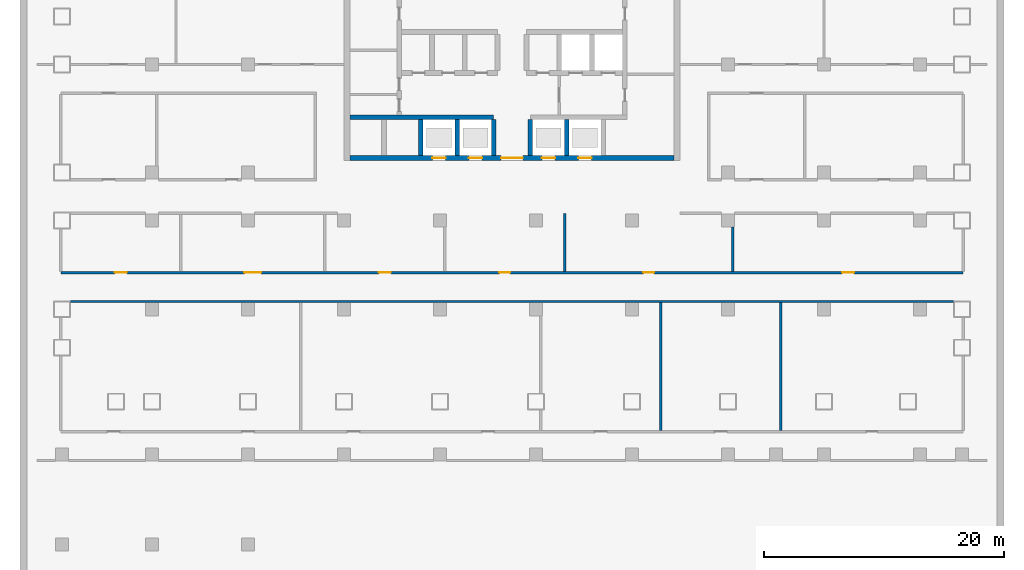
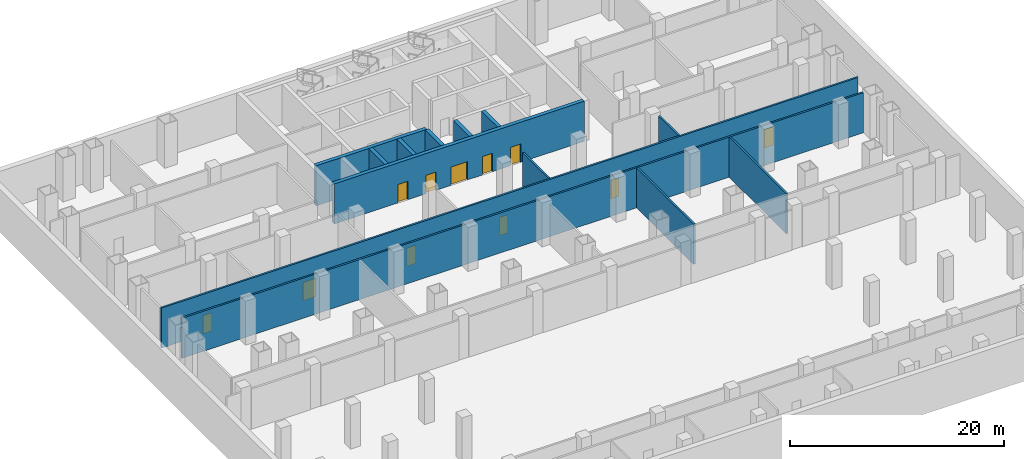
# One storey, part 5 of 12: 13 walls, 11 doors, 11 openings.
"""IFC4 building model written with IfcOpenShell, lengths in metres."""

from ifc_helpers import new_model, si_unit, direction, frame, frame_2d, origin, place, context, subcontext, project, spatial, rectangle, extrude, material, layer, layer_set, type_object, element, fill, save


model = new_model("IFC4")

# Units and contexts
model_context = context("Model", 3, precision=1e-05, world=origin(), true_north=direction((0.0, 1.0)))
body_context = subcontext(model_context, "Body", "Model", "MODEL_VIEW")
ifc_project = project(units=[si_unit("LENGTHUNIT", "METRE"), si_unit("AREAUNIT", "SQUARE_METRE"), si_unit("VOLUMEUNIT", "CUBIC_METRE"), si_unit("PLANEANGLEUNIT", "RADIAN"), si_unit("MASSUNIT", "GRAM", prefix="KILO")], contexts=[model_context])

# Site, building, storey
site_placement = place(None, origin())
site = spatial("IfcSite", under=ifc_project, at=site_placement, CompositionType="ELEMENT")
building_placement = place(site_placement, origin())
building = spatial("IfcBuilding", under=site, at=building_placement, Name="Vidyagriha Tower", CompositionType="ELEMENT")
storey_placement = place(building_placement, frame((0.0, 0.0, -5.0)))
storey = spatial("IfcBuildingStorey", under=building, at=storey_placement, Name="B1", CompositionType="ELEMENT", Elevation=-5.0)

# Wall, openings, doors
ifc_material_1 = material(Name="Concrete C60/75", Category="concrete")
ifc_layer_1 = layer(ifc_material_1, 0.39990234375)
ifc_layer_set_1 = layer_set([ifc_layer_1], Name="Concrete C60/75")
wall_type_1 = type_object("IfcWallType", Name="Core shear wall 400 mm", PredefinedType="SHEAR", material=ifc_layer_set_1)
wall_1_placement = place(storey_placement, frame((-13.5, 3.199951171875, 0.0)))
wall_1 = element("IfcWall", 1, at=wall_1_placement, inside=storey, type_object=wall_type_1, Name="Core front wall", PredefinedType="SHEAR", context=body_context, shape_type="SweptSolid", body=[
    extrude(rectangle(XDim=27.0, YDim=0.39990234375, at=frame_2d((13.5, 0.0))), origin(), (0.0, 0.0, 1.0), 4.580078125),
])
opening_1_placement = place(wall_1_placement, frame((6.861083984375, 0.0, 0.0)))
opening_1 = element("IfcOpeningElement", 2, at=opening_1_placement, cuts=wall_1, Name="Opening LDB1-01", PredefinedType="OPENING", context=body_context, shape_type="SweptSolid", body=[
    extrude(rectangle(XDim=1.10009765625, YDim=2.10009765625, at=frame_2d((0.550048828125, 1.050048828125))), frame((0.0, 0.2099609375, 0.0), z_axis=(0.0, -1.0, 0.0), x_axis=(1.0, 0.0, 0.0)), (0.0, 0.0, 1.0), 0.419921875),
])
opening_2_placement = place(wall_1_placement, frame((9.905517578125, 0.0, 0.0)))
opening_2 = element("IfcOpeningElement", 3, at=opening_2_placement, cuts=wall_1, Name="Opening LDB1-02", PredefinedType="OPENING", context=body_context, shape_type="SweptSolid", body=[
    extrude(rectangle(XDim=1.10009765625, YDim=2.10009765625, at=frame_2d((0.550048828125, 1.050048828125))), frame((0.0, 0.2099609375, 0.0), z_axis=(0.0, -1.0, 0.0), x_axis=(1.0, 0.0, 0.0)), (0.0, 0.0, 1.0), 0.419921875),
])
opening_3_placement = place(wall_1_placement, frame((15.994384765625, 0.0, 0.0)))
opening_3 = element("IfcOpeningElement", 4, at=opening_3_placement, cuts=wall_1, Name="Opening LDB1-03", PredefinedType="OPENING", context=body_context, shape_type="SweptSolid", body=[
    extrude(rectangle(XDim=1.10009765625, YDim=2.10009765625, at=frame_2d((0.550048828125, 1.050048828125))), frame((0.0, 0.2099609375, 0.0), z_axis=(0.0, -1.0, 0.0), x_axis=(1.0, 0.0, 0.0)), (0.0, 0.0, 1.0), 0.419921875),
])
opening_4_placement = place(wall_1_placement, frame((19.038818359375, 0.0, 0.0)))
opening_4 = element("IfcOpeningElement", 5, at=opening_4_placement, cuts=wall_1, Name="Opening LDB1-04", PredefinedType="OPENING", context=body_context, shape_type="SweptSolid", body=[
    extrude(rectangle(XDim=1.10009765625, YDim=2.10009765625, at=frame_2d((0.550048828125, 1.050048828125))), frame((0.0, 0.2099609375, 0.0), z_axis=(0.0, -1.0, 0.0), x_axis=(1.0, 0.0, 0.0)), (0.0, 0.0, 1.0), 0.419921875),
])
opening_5_placement = place(wall_1_placement, frame((12.60009765625, 0.0, 0.0)))
opening_5 = element("IfcOpeningElement", 6, at=opening_5_placement, cuts=wall_1, Name="Opening DB1-01", PredefinedType="OPENING", context=body_context, shape_type="SweptSolid", body=[
    extrude(rectangle(XDim=1.800048828125, YDim=2.10009765625, at=frame_2d((0.89990234375, 1.050048828125))), frame((0.0, 0.2099609375, 0.0), z_axis=(0.0, -1.0, 0.0), x_axis=(1.0, 0.0, 0.0)), (0.0, 0.0, 1.0), 0.419921875),
])
ifc_material_2 = material(Name="Hollow metal door leaf")
door_type_1 = type_object("IfcDoorType", Name="Core lobby double door 1800 x 2100 mm EI 60", OperationType="NOTDEFINED", PredefinedType="DOOR", material=ifc_material_2)
door_1_placement = place(opening_5_placement, frame((1.800048828125, 0.0, 0.0), z_axis=(0.0, 0.0, 1.0), x_axis=(-1.0, 0.0, 0.0)))
door_1 = element("IfcDoor", 7, at=door_1_placement, inside=storey, type_object=door_type_1, Name="Core entrance door B1", OperationType="DOUBLE_DOOR_SINGLE_SWING", OverallHeight=2.10009765625, OverallWidth=1.800048828125, PredefinedType="DOOR", context=body_context, shape_type="SweptSolid", body=[
    extrude(rectangle(XDim=1.800048828125, YDim=2.10009765625, at=frame_2d((0.89990234375, 1.050048828125))), frame((0.0, 0.02490234375, 0.0), z_axis=(0.0, -1.0, 0.0), x_axis=(1.0, 0.0, 0.0)), (0.0, 0.0, 1.0), 0.050048828125),
])
fill(opening_5, door_1)
ifc_material_3 = material(Name="Stainless steel sliding door panel", Category="steel")
door_type_2 = type_object("IfcDoorType", Name="Lift landing door 1100 x 2100 mm EI 90", OperationType="NOTDEFINED", PredefinedType="DOOR", material=ifc_material_3)
door_2_placement = place(opening_1_placement, origin())
door_2 = element("IfcDoor", 8, at=door_2_placement, inside=storey, type_object=door_type_2, Name="Landing door LR1 B1", OperationType="SLIDING_TO_LEFT", OverallHeight=2.10009765625, OverallWidth=1.10009765625, PredefinedType="DOOR", context=body_context, shape_type="SweptSolid", body=[
    extrude(rectangle(XDim=1.10009765625, YDim=2.10009765625, at=frame_2d((0.550048828125, 1.050048828125))), frame((0.0, 0.02490234375, 0.0), z_axis=(0.0, -1.0, 0.0), x_axis=(1.0, 0.0, 0.0)), (0.0, 0.0, 1.0), 0.050048828125),
])
fill(opening_1, door_2)
door_3_placement = place(opening_2_placement, origin())
door_3 = element("IfcDoor", 9, at=door_3_placement, inside=storey, type_object=door_type_2, Name="Landing door LR2 B1", OperationType="SLIDING_TO_LEFT", OverallHeight=2.10009765625, OverallWidth=1.10009765625, PredefinedType="DOOR", context=body_context, shape_type="SweptSolid", body=[
    extrude(rectangle(XDim=1.10009765625, YDim=2.10009765625, at=frame_2d((0.550048828125, 1.050048828125))), frame((0.0, 0.02490234375, 0.0), z_axis=(0.0, -1.0, 0.0), x_axis=(1.0, 0.0, 0.0)), (0.0, 0.0, 1.0), 0.050048828125),
])
fill(opening_2, door_3)
door_4_placement = place(opening_3_placement, origin())
door_4 = element("IfcDoor", 10, at=door_4_placement, inside=storey, type_object=door_type_2, Name="Landing door LR3 B1", OperationType="SLIDING_TO_LEFT", OverallHeight=2.10009765625, OverallWidth=1.10009765625, PredefinedType="DOOR", context=body_context, shape_type="SweptSolid", body=[
    extrude(rectangle(XDim=1.10009765625, YDim=2.10009765625, at=frame_2d((0.550048828125, 1.050048828125))), frame((0.0, 0.02490234375, 0.0), z_axis=(0.0, -1.0, 0.0), x_axis=(1.0, 0.0, 0.0)), (0.0, 0.0, 1.0), 0.050048828125),
])
fill(opening_3, door_4)
door_5_placement = place(opening_4_placement, origin())
door_5 = element("IfcDoor", 11, at=door_5_placement, inside=storey, type_object=door_type_2, Name="Landing door LR4 B1", OperationType="SLIDING_TO_LEFT", OverallHeight=2.10009765625, OverallWidth=1.10009765625, PredefinedType="DOOR", context=body_context, shape_type="SweptSolid", body=[
    extrude(rectangle(XDim=1.10009765625, YDim=2.10009765625, at=frame_2d((0.550048828125, 1.050048828125))), frame((0.0, 0.02490234375, 0.0), z_axis=(0.0, -1.0, 0.0), x_axis=(1.0, 0.0, 0.0)), (0.0, 0.0, 1.0), 0.050048828125),
])
fill(opening_4, door_5)

# Walls
wall_2_placement = place(storey_placement, frame((-13.5, 6.60009765625, 0.0)))
element("IfcWall", 12, at=wall_2_placement, inside=storey, type_object=wall_type_1, Name="Core lobby south wall west", PredefinedType="SHEAR", context=body_context, shape_type="SweptSolid", body=[
    extrude(rectangle(XDim=11.977783203125, YDim=0.39990234375, at=frame_2d((5.98876953125, 0.0))), origin(), (0.0, 0.0, 1.0), 4.580078125),
])
for number, where, z_axis, x_axis, name in (
    (13, (-7.611083984375, 3.39990234375, 0.0), (0.0, 0.0, 1.0), (0.0, 1.0, 0.0), "Core bay wall S2"),
    (14, (-4.566650390625, 3.39990234375, 0.0), (0.0, 0.0, 1.0), (0.0, 1.0, 0.0), "Core bay wall S3"),
    (15, (-1.522216796875, 3.39990234375, 0.0), (0.0, 0.0, 1.0), (0.0, 1.0, 0.0), "Core bay wall S4"),
    (16, (1.522216796875, 3.39990234375, 0.0), (0.0, 0.0, 1.0), (0.0, 1.0, 0.0), "Core bay wall S5"),
    (17, (4.566650390625, 3.39990234375, 0.0), (0.0, 0.0, 1.0), (0.0, 1.0, 0.0), "Core bay wall S6"),
):
    element("IfcWall", number, at=place(storey_placement, frame(where, z_axis=z_axis, x_axis=x_axis)), inside=storey, type_object=wall_type_1, Name=name, PredefinedType="SHEAR", context=body_context, shape_type="SweptSolid", body=[
        extrude(rectangle(XDim=3.0, YDim=0.39990234375, at=frame_2d((1.5, 0.0))), origin(), (0.0, 0.0, 1.0), 4.580078125),
    ])
ifc_material_4 = material(Name="Fire rated gypsum board on light gauge framing")
ifc_layer_2 = layer(ifc_material_4, 0.199951171875)
ifc_layer_set_2 = layer_set([ifc_layer_2], Name="Fire rated gypsum board on light gauge framing")
wall_type_2 = type_object("IfcWallType", Name="Fire Rated Corridor Wall 200", PredefinedType="PARTITIONING", material=ifc_layer_set_2)
wall_3_placement = place(storey_placement, frame((-36.800048828125, -8.75, 0.0)))
element("IfcWall", 18, at=wall_3_placement, inside=storey, type_object=wall_type_2, Name="B1 Fire Rated Corridor Wall 200 030", PredefinedType="PARTITIONING", context=body_context, shape_type="SweptSolid", body=[
    extrude(rectangle(XDim=73.60009765625, YDim=0.199951171875, at=frame_2d((36.800048828125, 0.0))), origin(), (0.0, 0.0, 1.0), 4.580078125),
])

# Wall, openings, doors
wall_4_placement = place(storey_placement, frame((-37.599853515625, -6.35009765625, 0.0)))
wall_4 = element("IfcWall", 19, at=wall_4_placement, inside=storey, type_object=wall_type_2, Name="B1 Fire Rated Corridor Wall 200 031", PredefinedType="PARTITIONING", context=body_context, shape_type="SweptSolid", body=[
    extrude(rectangle(XDim=75.19970703125, YDim=0.199951171875, at=frame_2d((37.599853515625, 0.0))), origin(), (0.0, 0.0, 1.0), 4.580078125),
])
opening_6_placement = place(wall_4_placement, frame((4.5, 0.0, 0.0)))
opening_6 = element("IfcOpeningElement", 20, at=opening_6_placement, cuts=wall_4, Name="Opening DB1-26", PredefinedType="OPENING", context=body_context, shape_type="SweptSolid", body=[
    extrude(rectangle(XDim=1.0, YDim=2.10009765625, at=frame_2d((0.5, 1.050048828125))), frame((0.0, 0.10986328125, 0.0), z_axis=(0.0, -1.0, 0.0), x_axis=(1.0, 0.0, 0.0)), (0.0, 0.0, 1.0), 0.219970703125),
])
opening_7_placement = place(wall_4_placement, frame((15.2998046875, 0.0, 0.0)))
opening_7 = element("IfcOpeningElement", 21, at=opening_7_placement, cuts=wall_4, Name="Opening DB1-27", PredefinedType="OPENING", context=body_context, shape_type="SweptSolid", body=[
    extrude(rectangle(XDim=1.39990234375, YDim=2.10009765625, at=frame_2d((0.699951171875, 1.050048828125))), frame((0.0, 0.10986328125, 0.0), z_axis=(0.0, -1.0, 0.0), x_axis=(1.0, 0.0, 0.0)), (0.0, 0.0, 1.0), 0.219970703125),
])
opening_8_placement = place(wall_4_placement, frame((26.5, 0.0, 0.0)))
opening_8 = element("IfcOpeningElement", 22, at=opening_8_placement, cuts=wall_4, Name="Opening DB1-28", PredefinedType="OPENING", context=body_context, shape_type="SweptSolid", body=[
    extrude(rectangle(XDim=1.0, YDim=2.10009765625, at=frame_2d((0.5, 1.050048828125))), frame((0.0, 0.10986328125, 0.0), z_axis=(0.0, -1.0, 0.0), x_axis=(1.0, 0.0, 0.0)), (0.0, 0.0, 1.0), 0.219970703125),
])
opening_9_placement = place(wall_4_placement, frame((36.5498046875, 0.0, 0.0)))
opening_9 = element("IfcOpeningElement", 23, at=opening_9_placement, cuts=wall_4, Name="Opening DB1-29", PredefinedType="OPENING", context=body_context, shape_type="SweptSolid", body=[
    extrude(rectangle(XDim=0.89990234375, YDim=2.10009765625, at=frame_2d((0.449951171875, 1.050048828125))), frame((0.0, 0.10986328125, 0.0), z_axis=(0.0, -1.0, 0.0), x_axis=(1.0, 0.0, 0.0)), (0.0, 0.0, 1.0), 0.219970703125),
])
opening_10_placement = place(wall_4_placement, frame((48.5498046875, 0.0, 0.0)))
opening_10 = element("IfcOpeningElement", 24, at=opening_10_placement, cuts=wall_4, Name="Opening DB1-30", PredefinedType="OPENING", context=body_context, shape_type="SweptSolid", body=[
    extrude(rectangle(XDim=0.89990234375, YDim=2.10009765625, at=frame_2d((0.449951171875, 1.050048828125))), frame((0.0, 0.10986328125, 0.0), z_axis=(0.0, -1.0, 0.0), x_axis=(1.0, 0.0, 0.0)), (0.0, 0.0, 1.0), 0.219970703125),
])
opening_11_placement = place(wall_4_placement, frame((65.099853515625, 0.0, 0.0)))
opening_11 = element("IfcOpeningElement", 25, at=opening_11_placement, cuts=wall_4, Name="Opening DB1-31", PredefinedType="OPENING", context=body_context, shape_type="SweptSolid", body=[
    extrude(rectangle(XDim=1.0, YDim=2.10009765625, at=frame_2d((0.5, 1.050048828125))), frame((0.0, 0.10986328125, 0.0), z_axis=(0.0, -1.0, 0.0), x_axis=(1.0, 0.0, 0.0)), (0.0, 0.0, 1.0), 0.219970703125),
])
ifc_material_5 = material(Name="Steel fire door set", Category="steel")
door_type_3 = type_object("IfcDoorType", Name="Podium Door 1000x2100 EI 60", OperationType="NOTDEFINED", PredefinedType="DOOR", material=ifc_material_5)
door_6_placement = place(opening_6_placement, origin())
door_6 = element("IfcDoor", 26, at=door_6_placement, inside=storey, type_object=door_type_3, Name="B1 door DB1-26", OperationType="SINGLE_SWING_LEFT", OverallHeight=2.10009765625, OverallWidth=1.0, PredefinedType="DOOR", context=body_context, shape_type="SweptSolid", body=[
    extrude(rectangle(XDim=1.0, YDim=2.10009765625, at=frame_2d((0.5, 1.050048828125))), frame((0.0, 0.02490234375, 0.0), z_axis=(0.0, -1.0, 0.0), x_axis=(1.0, 0.0, 0.0)), (0.0, 0.0, 1.0), 0.050048828125),
])
fill(opening_6, door_6)
door_7_placement = place(opening_8_placement, frame((1.0, 0.0, 0.0), z_axis=(0.0, 0.0, 1.0), x_axis=(-1.0, 0.0, 0.0)))
door_7 = element("IfcDoor", 27, at=door_7_placement, inside=storey, type_object=door_type_3, Name="B1 door DB1-28", OperationType="SINGLE_SWING_LEFT", OverallHeight=2.10009765625, OverallWidth=1.0, PredefinedType="DOOR", context=body_context, shape_type="SweptSolid", body=[
    extrude(rectangle(XDim=1.0, YDim=2.10009765625, at=frame_2d((0.5, 1.050048828125))), frame((0.0, 0.02490234375, 0.0), z_axis=(0.0, -1.0, 0.0), x_axis=(1.0, 0.0, 0.0)), (0.0, 0.0, 1.0), 0.050048828125),
])
fill(opening_8, door_7)
door_8_placement = place(opening_11_placement, origin())
door_8 = element("IfcDoor", 28, at=door_8_placement, inside=storey, type_object=door_type_3, Name="B1 door DB1-31", OperationType="SINGLE_SWING_RIGHT", OverallHeight=2.10009765625, OverallWidth=1.0, PredefinedType="DOOR", context=body_context, shape_type="SweptSolid", body=[
    extrude(rectangle(XDim=1.0, YDim=2.10009765625, at=frame_2d((0.5, 1.050048828125))), frame((0.0, 0.02490234375, 0.0), z_axis=(0.0, -1.0, 0.0), x_axis=(1.0, 0.0, 0.0)), (0.0, 0.0, 1.0), 0.050048828125),
])
fill(opening_11, door_8)
ifc_material_6 = material(Name="Steel fire door set", Category="steel")
door_type_4 = type_object("IfcDoorType", Name="Podium Door 1400x2100 EI 60 Pair", OperationType="NOTDEFINED", PredefinedType="DOOR", material=ifc_material_6)
door_9_placement = place(opening_7_placement, frame((1.39990234375, 0.0, 0.0), z_axis=(0.0, 0.0, 1.0), x_axis=(-1.0, 0.0, 0.0)))
door_9 = element("IfcDoor", 29, at=door_9_placement, inside=storey, type_object=door_type_4, Name="B1 door DB1-27", OperationType="DOUBLE_DOOR_SINGLE_SWING", OverallHeight=2.10009765625, OverallWidth=1.39990234375, PredefinedType="DOOR", context=body_context, shape_type="SweptSolid", body=[
    extrude(rectangle(XDim=1.39990234375, YDim=2.10009765625, at=frame_2d((0.699951171875, 1.050048828125))), frame((0.0, 0.02490234375, 0.0), z_axis=(0.0, -1.0, 0.0), x_axis=(1.0, 0.0, 0.0)), (0.0, 0.0, 1.0), 0.050048828125),
])
fill(opening_7, door_9)
ifc_material_7 = material(Name="Steel fire door set", Category="steel")
door_type_5 = type_object("IfcDoorType", Name="Podium Door 900x2100 EI 30", OperationType="NOTDEFINED", PredefinedType="DOOR", material=ifc_material_7)
door_10_placement = place(opening_10_placement, origin())
door_10 = element("IfcDoor", 30, at=door_10_placement, inside=storey, type_object=door_type_5, Name="B1 door DB1-30", OperationType="SINGLE_SWING_RIGHT", OverallHeight=2.10009765625, OverallWidth=0.89990234375, PredefinedType="DOOR", context=body_context, shape_type="SweptSolid", body=[
    extrude(rectangle(XDim=0.89990234375, YDim=2.10009765625, at=frame_2d((0.449951171875, 1.050048828125))), frame((0.0, 0.02490234375, 0.0), z_axis=(0.0, -1.0, 0.0), x_axis=(1.0, 0.0, 0.0)), (0.0, 0.0, 1.0), 0.050048828125),
])
fill(opening_10, door_10)
ifc_material_8 = material(Name="Steel fire door set", Category="steel")
door_type_6 = type_object("IfcDoorType", Name="Podium Door 900x2100 EI 60", OperationType="NOTDEFINED", PredefinedType="DOOR", material=ifc_material_8)
door_11_placement = place(opening_9_placement, origin())
door_11 = element("IfcDoor", 31, at=door_11_placement, inside=storey, type_object=door_type_6, Name="B1 door DB1-29", OperationType="SINGLE_SWING_LEFT", OverallHeight=2.10009765625, OverallWidth=0.89990234375, PredefinedType="DOOR", context=body_context, shape_type="SweptSolid", body=[
    extrude(rectangle(XDim=0.89990234375, YDim=2.10009765625, at=frame_2d((0.449951171875, 1.050048828125))), frame((0.0, 0.02490234375, 0.0), z_axis=(0.0, -1.0, 0.0), x_axis=(1.0, 0.0, 0.0)), (0.0, 0.0, 1.0), 0.050048828125),
])
fill(opening_9, door_11)

# Walls
wall_5_placement = place(storey_placement, frame((4.39990234375, -6.25, 0.0), z_axis=(0.0, 0.0, 1.0), x_axis=(0.0, 1.0, 0.0)))
element("IfcWall", 32, at=wall_5_placement, inside=storey, type_object=wall_type_2, Name="B1 Fire Rated Corridor Wall 200 074", PredefinedType="PARTITIONING", context=body_context, shape_type="SweptSolid", body=[
    extrude(rectangle(XDim=4.849853515625, YDim=0.199951171875, at=frame_2d((2.4248046875, 0.0))), origin(), (0.0, 0.0, 1.0), 4.580078125),
])
wall_6_placement = place(storey_placement, frame((12.39990234375, -19.5, 0.0), z_axis=(0.0, 0.0, 1.0), x_axis=(0.0, 1.0, 0.0)))
element("IfcWall", 33, at=wall_6_placement, inside=storey, type_object=wall_type_2, Name="B1 Fire Rated Corridor Wall 200 076", PredefinedType="PARTITIONING", context=body_context, shape_type="SweptSolid", body=[
    extrude(rectangle(XDim=10.64990234375, YDim=0.199951171875, at=frame_2d((5.324951171875, 0.0))), origin(), (0.0, 0.0, 1.0), 4.580078125),
])
wall_7_placement = place(storey_placement, frame((18.39990234375, -6.25, 0.0), z_axis=(0.0, 0.0, 1.0), x_axis=(0.0, 1.0, 0.0)))
element("IfcWall", 34, at=wall_7_placement, inside=storey, type_object=wall_type_2, Name="B1 Fire Rated Corridor Wall 200 078", PredefinedType="PARTITIONING", context=body_context, shape_type="SweptSolid", body=[
    extrude(rectangle(XDim=3.699951171875, YDim=0.199951171875, at=frame_2d((1.85009765625, 0.0))), origin(), (0.0, 0.0, 1.0), 4.580078125),
])
wall_8_placement = place(storey_placement, frame((22.39990234375, -19.5, 0.0), z_axis=(0.0, 0.0, 1.0), x_axis=(0.0, 1.0, 0.0)))
element("IfcWall", 35, at=wall_8_placement, inside=storey, type_object=wall_type_2, Name="B1 Fire Rated Corridor Wall 200 079", PredefinedType="PARTITIONING", context=body_context, shape_type="SweptSolid", body=[
    extrude(rectangle(XDim=10.64990234375, YDim=0.199951171875, at=frame_2d((5.324951171875, 0.0))), origin(), (0.0, 0.0, 1.0), 4.580078125),
])

save(model, "model.ifc")
